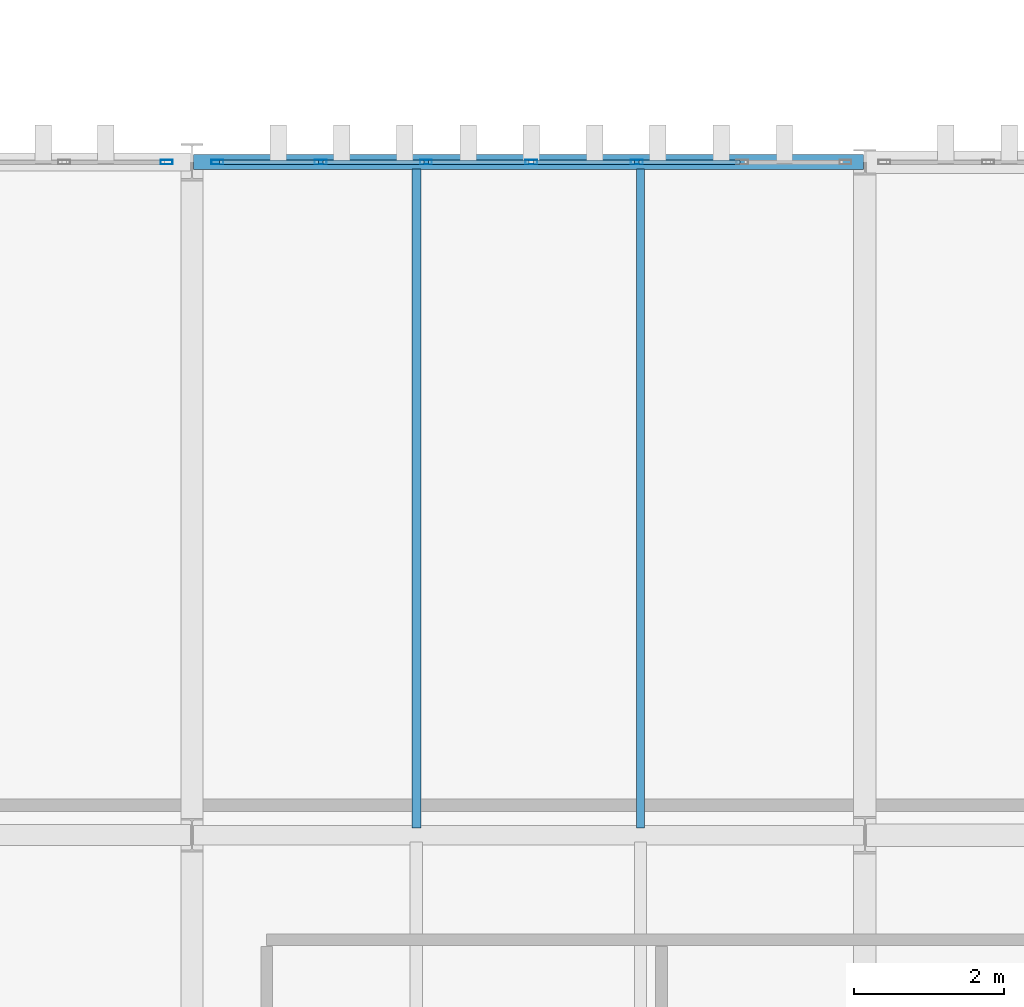
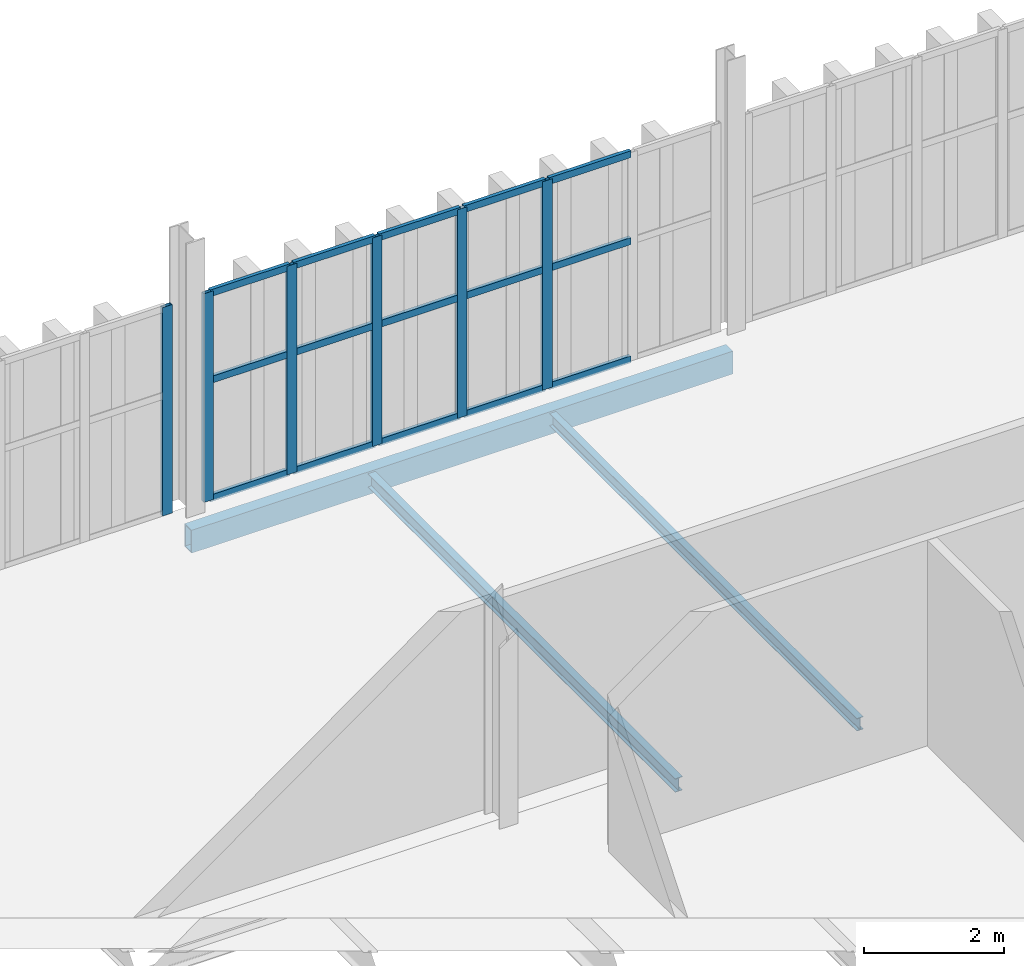
# One storey, part 118 of 196: 21 members, 3 beams, 2 elements without a shape of their own.
"""IFC4 building model written with IfcOpenShell, lengths in metres."""

from ifc_helpers import new_model, si_unit, direction, frame, origin, origin_2d, place, context, subcontext, project, spatial, hollow_rectangle, i_section, extrude, material, layer, layer_set, material_profile, profile_set, type_object, element, aggregate, save


model = new_model("IFC4")

# Units and contexts
model_context = context("Model", 3, precision=1e-05, world=origin(), true_north=direction((0.0, 1.0)))
body_context = subcontext(model_context, "Body", "Model", "MODEL_VIEW")
ifc_project = project(units=[si_unit("LENGTHUNIT", "METRE"), si_unit("AREAUNIT", "SQUARE_METRE"), si_unit("VOLUMEUNIT", "CUBIC_METRE"), si_unit("PLANEANGLEUNIT", "RADIAN"), si_unit("MASSUNIT", "GRAM", prefix="KILO")], contexts=[model_context])

# Site, building, storey
site_placement = place(None, origin())
site = spatial("IfcSite", under=ifc_project, at=site_placement, CompositionType="ELEMENT")
building_placement = place(site_placement, origin())
building = spatial("IfcBuilding", under=site, at=building_placement, Name="Barlavento Convention Centre", CompositionType="ELEMENT")
storey_placement = place(building_placement, frame((0.0, 0.0, 18.0)))
storey = spatial("IfcBuildingStorey", under=building, at=storey_placement, Name="L03", CompositionType="ELEMENT", Elevation=18.0)

# Curtain wall, member
ifc_material_1 = material(Name="Powder-coated aluminium and Low-E glass", Category="aluminium")
ifc_layer = layer(ifc_material_1, 0.179931640625)
ifc_layer_set = layer_set([ifc_layer], Name="ARC-CW-PATIO-B")
curtain_wall_type = type_object("IfcCurtainWallType", Name="ARC-CW-PATIO-B", PredefinedType="NOTDEFINED", material=ifc_layer_set)
curtain_wall_1_placement = place(storey_placement, origin())
curtain_wall_1 = element("IfcCurtainWall", 1, at=curtain_wall_1_placement, inside=storey, type_object=curtain_wall_type, Name="L03 unitised curtain wall CW12", PredefinedType="NOTDEFINED")
ifc_material_2 = material(Name="Powder-coated aluminium", Category="aluminium")
ifc_material_profile_1 = material_profile(ifc_material_2, hollow_rectangle(XDim=0.06005859375, YDim=0.159912109375, WallThickness=0.00390625, at=origin_2d()), Name="AL-MULL 60x160x4")
ifc_profile_set_1 = profile_set([ifc_material_profile_1], Name="Powder-coated aluminium")
member_type_1 = type_object("IfcMemberType", Name="ARC-CWM-60X160", PredefinedType="MULLION", material=ifc_profile_set_1)
member_1_placement = place(storey_placement, frame((152.659912109375, 63.0, 0.0), z_axis=(0.0, 0.0, 1.0), x_axis=(0.0, 1.0, 0.0)))
member_1 = element("IfcMember", 2, at=member_1_placement, type_object=member_type_1, Name="CW12 mullion 7", PredefinedType="MULLION", context=body_context, shape_type="SweptSolid", body=[
    extrude(hollow_rectangle(XDim=0.06005859375, YDim=0.159912109375, WallThickness=0.00390625, at=origin_2d()), origin(), (0.0, 0.0, 1.0), 3.64990234375),
])
aggregate(curtain_wall_1, [member_1])

# Curtain wall, members
curtain_wall_2_placement = place(storey_placement, origin())
curtain_wall_2 = element("IfcCurtainWall", 3, at=curtain_wall_2_placement, inside=storey, type_object=curtain_wall_type, Name="L03 unitised curtain wall CW12", PredefinedType="NOTDEFINED")
member_2_placement = place(storey_placement, frame((153.340087890625, 63.0, 0.0), z_axis=(0.0, 0.0, 1.0), x_axis=(0.0, 1.0, 0.0)))
member_2 = element("IfcMember", 4, at=member_2_placement, type_object=member_type_1, Name="CW12 mullion 1", PredefinedType="MULLION", context=body_context, shape_type="SweptSolid", body=[
    extrude(hollow_rectangle(XDim=0.06005859375, YDim=0.159912109375, WallThickness=0.00390625, at=origin_2d()), origin(), (0.0, 0.0, 1.0), 3.64990234375),
])
member_3_placement = place(storey_placement, frame((154.719970703125, 63.0, 0.0), z_axis=(0.0, 0.0, 1.0), x_axis=(0.0, 1.0, 0.0)))
member_3 = element("IfcMember", 5, at=member_3_placement, type_object=member_type_1, Name="CW12 mullion 2", PredefinedType="MULLION", context=body_context, shape_type="SweptSolid", body=[
    extrude(hollow_rectangle(XDim=0.06005859375, YDim=0.159912109375, WallThickness=0.00390625, at=origin_2d()), origin(), (0.0, 0.0, 1.0), 3.64990234375),
])
member_4_placement = place(storey_placement, frame((156.1298828125, 63.0, 0.0), z_axis=(0.0, 0.0, 1.0), x_axis=(0.0, 1.0, 0.0)))
member_4 = element("IfcMember", 6, at=member_4_placement, type_object=member_type_1, Name="CW12 mullion 3", PredefinedType="MULLION", context=body_context, shape_type="SweptSolid", body=[
    extrude(hollow_rectangle(XDim=0.06005859375, YDim=0.159912109375, WallThickness=0.00390625, at=origin_2d()), origin(), (0.0, 0.0, 1.0), 3.64990234375),
])
member_5_placement = place(storey_placement, frame((157.5400390625, 63.0, 0.0), z_axis=(0.0, 0.0, 1.0), x_axis=(0.0, 1.0, 0.0)))
member_5 = element("IfcMember", 7, at=member_5_placement, type_object=member_type_1, Name="CW12 mullion 4", PredefinedType="MULLION", context=body_context, shape_type="SweptSolid", body=[
    extrude(hollow_rectangle(XDim=0.06005859375, YDim=0.159912109375, WallThickness=0.00390625, at=origin_2d()), origin(), (0.0, 0.0, 1.0), 3.64990234375),
])
member_6_placement = place(storey_placement, frame((158.949951171875, 63.0, 0.0), z_axis=(0.0, 0.0, 1.0), x_axis=(0.0, 1.0, 0.0)))
member_6 = element("IfcMember", 8, at=member_6_placement, type_object=member_type_1, Name="CW12 mullion 5", PredefinedType="MULLION", context=body_context, shape_type="SweptSolid", body=[
    extrude(hollow_rectangle(XDim=0.06005859375, YDim=0.159912109375, WallThickness=0.00390625, at=origin_2d()), origin(), (0.0, 0.0, 1.0), 3.64990234375),
])
ifc_material_profile_2 = material_profile(ifc_material_2, hollow_rectangle(XDim=0.06005859375, YDim=0.1201171875, WallThickness=0.00390625, at=origin_2d()), Name="AL-TRAN 60x120x4")
ifc_profile_set_2 = profile_set([ifc_material_profile_2], Name="Powder-coated aluminium")
member_type_2 = type_object("IfcMemberType", Name="ARC-CWT-60X120", PredefinedType="USERDEFINED", material=ifc_profile_set_2)
member_7_placement = place(storey_placement, frame((153.3701171875, 63.0, 0.030029296875), z_axis=(1.0, 0.0, 0.0), x_axis=(0.0, 1.0, 0.0)))
member_7 = element("IfcMember", 9, at=member_7_placement, type_object=member_type_2, Name="CW12 transom 1.1", ObjectType="TRANSOM", PredefinedType="USERDEFINED", context=body_context, shape_type="SweptSolid", body=[
    extrude(hollow_rectangle(XDim=0.06005859375, YDim=0.1201171875, WallThickness=0.00390625, at=origin_2d()), origin(), (0.0, 0.0, 1.0), 1.31982421875),
])
member_8_placement = place(storey_placement, frame((153.3701171875, 63.0, 2.10009765625), z_axis=(1.0, 0.0, 0.0), x_axis=(0.0, 1.0, 0.0)))
member_8 = element("IfcMember", 10, at=member_8_placement, type_object=member_type_2, Name="CW12 transom 1.2", ObjectType="TRANSOM", PredefinedType="USERDEFINED", context=body_context, shape_type="SweptSolid", body=[
    extrude(hollow_rectangle(XDim=0.06005859375, YDim=0.1201171875, WallThickness=0.00390625, at=origin_2d()), origin(), (0.0, 0.0, 1.0), 1.31982421875),
])
member_9_placement = place(storey_placement, frame((153.3701171875, 63.0, 3.6201171875), z_axis=(1.0, 0.0, 0.0), x_axis=(0.0, 1.0, 0.0)))
member_9 = element("IfcMember", 11, at=member_9_placement, type_object=member_type_2, Name="CW12 transom 1.3", ObjectType="TRANSOM", PredefinedType="USERDEFINED", context=body_context, shape_type="SweptSolid", body=[
    extrude(hollow_rectangle(XDim=0.06005859375, YDim=0.1201171875, WallThickness=0.00390625, at=origin_2d()), origin(), (0.0, 0.0, 1.0), 1.31982421875),
])
member_10_placement = place(storey_placement, frame((154.75, 63.0, 0.030029296875), z_axis=(1.0, 0.0, 0.0), x_axis=(0.0, 1.0, 0.0)))
member_10 = element("IfcMember", 12, at=member_10_placement, type_object=member_type_2, Name="CW12 transom 2.1", ObjectType="TRANSOM", PredefinedType="USERDEFINED", context=body_context, shape_type="SweptSolid", body=[
    extrude(hollow_rectangle(XDim=0.06005859375, YDim=0.1201171875, WallThickness=0.00390625, at=origin_2d()), origin(), (0.0, 0.0, 1.0), 1.35009765625),
])
member_11_placement = place(storey_placement, frame((154.75, 63.0, 2.10009765625), z_axis=(1.0, 0.0, 0.0), x_axis=(0.0, 1.0, 0.0)))
member_11 = element("IfcMember", 13, at=member_11_placement, type_object=member_type_2, Name="CW12 transom 2.2", ObjectType="TRANSOM", PredefinedType="USERDEFINED", context=body_context, shape_type="SweptSolid", body=[
    extrude(hollow_rectangle(XDim=0.06005859375, YDim=0.1201171875, WallThickness=0.00390625, at=origin_2d()), origin(), (0.0, 0.0, 1.0), 1.35009765625),
])
member_12_placement = place(storey_placement, frame((154.75, 63.0, 3.6201171875), z_axis=(1.0, 0.0, 0.0), x_axis=(0.0, 1.0, 0.0)))
member_12 = element("IfcMember", 14, at=member_12_placement, type_object=member_type_2, Name="CW12 transom 2.3", ObjectType="TRANSOM", PredefinedType="USERDEFINED", context=body_context, shape_type="SweptSolid", body=[
    extrude(hollow_rectangle(XDim=0.06005859375, YDim=0.1201171875, WallThickness=0.00390625, at=origin_2d()), origin(), (0.0, 0.0, 1.0), 1.35009765625),
])
member_13_placement = place(storey_placement, frame((156.159912109375, 63.0, 0.030029296875), z_axis=(1.0, 0.0, 0.0), x_axis=(0.0, 1.0, 0.0)))
member_13 = element("IfcMember", 15, at=member_13_placement, type_object=member_type_2, Name="CW12 transom 3.1", ObjectType="TRANSOM", PredefinedType="USERDEFINED", context=body_context, shape_type="SweptSolid", body=[
    extrude(hollow_rectangle(XDim=0.06005859375, YDim=0.1201171875, WallThickness=0.00390625, at=origin_2d()), origin(), (0.0, 0.0, 1.0), 1.35009765625),
])
member_14_placement = place(storey_placement, frame((156.159912109375, 63.0, 2.10009765625), z_axis=(1.0, 0.0, 0.0), x_axis=(0.0, 1.0, 0.0)))
member_14 = element("IfcMember", 16, at=member_14_placement, type_object=member_type_2, Name="CW12 transom 3.2", ObjectType="TRANSOM", PredefinedType="USERDEFINED", context=body_context, shape_type="SweptSolid", body=[
    extrude(hollow_rectangle(XDim=0.06005859375, YDim=0.1201171875, WallThickness=0.00390625, at=origin_2d()), origin(), (0.0, 0.0, 1.0), 1.35009765625),
])
member_15_placement = place(storey_placement, frame((156.159912109375, 63.0, 3.6201171875), z_axis=(1.0, 0.0, 0.0), x_axis=(0.0, 1.0, 0.0)))
member_15 = element("IfcMember", 17, at=member_15_placement, type_object=member_type_2, Name="CW12 transom 3.3", ObjectType="TRANSOM", PredefinedType="USERDEFINED", context=body_context, shape_type="SweptSolid", body=[
    extrude(hollow_rectangle(XDim=0.06005859375, YDim=0.1201171875, WallThickness=0.00390625, at=origin_2d()), origin(), (0.0, 0.0, 1.0), 1.35009765625),
])
member_16_placement = place(storey_placement, frame((157.570068359375, 63.0, 0.030029296875), z_axis=(1.0, 0.0, 0.0), x_axis=(0.0, 1.0, 0.0)))
member_16 = element("IfcMember", 18, at=member_16_placement, type_object=member_type_2, Name="CW12 transom 4.1", ObjectType="TRANSOM", PredefinedType="USERDEFINED", context=body_context, shape_type="SweptSolid", body=[
    extrude(hollow_rectangle(XDim=0.06005859375, YDim=0.1201171875, WallThickness=0.00390625, at=origin_2d()), origin(), (0.0, 0.0, 1.0), 1.349853515625),
])
member_17_placement = place(storey_placement, frame((157.570068359375, 63.0, 2.10009765625), z_axis=(1.0, 0.0, 0.0), x_axis=(0.0, 1.0, 0.0)))
member_17 = element("IfcMember", 19, at=member_17_placement, type_object=member_type_2, Name="CW12 transom 4.2", ObjectType="TRANSOM", PredefinedType="USERDEFINED", context=body_context, shape_type="SweptSolid", body=[
    extrude(hollow_rectangle(XDim=0.06005859375, YDim=0.1201171875, WallThickness=0.00390625, at=origin_2d()), origin(), (0.0, 0.0, 1.0), 1.349853515625),
])
member_18_placement = place(storey_placement, frame((157.570068359375, 63.0, 3.6201171875), z_axis=(1.0, 0.0, 0.0), x_axis=(0.0, 1.0, 0.0)))
member_18 = element("IfcMember", 20, at=member_18_placement, type_object=member_type_2, Name="CW12 transom 4.3", ObjectType="TRANSOM", PredefinedType="USERDEFINED", context=body_context, shape_type="SweptSolid", body=[
    extrude(hollow_rectangle(XDim=0.06005859375, YDim=0.1201171875, WallThickness=0.00390625, at=origin_2d()), origin(), (0.0, 0.0, 1.0), 1.349853515625),
])
member_19_placement = place(storey_placement, frame((158.97998046875, 63.0, 0.030029296875), z_axis=(1.0, 0.0, 0.0), x_axis=(0.0, 1.0, 0.0)))
member_19 = element("IfcMember", 21, at=member_19_placement, type_object=member_type_2, Name="CW12 transom 5.1", ObjectType="TRANSOM", PredefinedType="USERDEFINED", context=body_context, shape_type="SweptSolid", body=[
    extrude(hollow_rectangle(XDim=0.06005859375, YDim=0.1201171875, WallThickness=0.00390625, at=origin_2d()), origin(), (0.0, 0.0, 1.0), 1.35009765625),
])
member_20_placement = place(storey_placement, frame((158.97998046875, 63.0, 2.10009765625), z_axis=(1.0, 0.0, 0.0), x_axis=(0.0, 1.0, 0.0)))
member_20 = element("IfcMember", 22, at=member_20_placement, type_object=member_type_2, Name="CW12 transom 5.2", ObjectType="TRANSOM", PredefinedType="USERDEFINED", context=body_context, shape_type="SweptSolid", body=[
    extrude(hollow_rectangle(XDim=0.06005859375, YDim=0.1201171875, WallThickness=0.00390625, at=origin_2d()), origin(), (0.0, 0.0, 1.0), 1.35009765625),
])
member_21_placement = place(storey_placement, frame((158.97998046875, 63.0, 3.6201171875), z_axis=(1.0, 0.0, 0.0), x_axis=(0.0, 1.0, 0.0)))
member_21 = element("IfcMember", 23, at=member_21_placement, type_object=member_type_2, Name="CW12 transom 5.3", ObjectType="TRANSOM", PredefinedType="USERDEFINED", context=body_context, shape_type="SweptSolid", body=[
    extrude(hollow_rectangle(XDim=0.06005859375, YDim=0.1201171875, WallThickness=0.00390625, at=origin_2d()), origin(), (0.0, 0.0, 1.0), 1.35009765625),
])
aggregate(curtain_wall_2, [member_2, member_3, member_4, member_5, member_6, member_7, member_8, member_9, member_10, member_11, member_12, member_13, member_14, member_15, member_16, member_17, member_18, member_19, member_20, member_21])

# Beams
ifc_material_3 = material(Name="Steel S355", Category="steel")
ifc_material_profile_3 = material_profile(ifc_material_3, i_section(OverallWidth=0.110107421875, OverallDepth=0.219970703125, WebThickness=0.005859375, FlangeThickness=0.00927734375, FilletRadius=0.011962890625, at=origin_2d()), Name="IPE 220")
ifc_profile_set_3 = profile_set([ifc_material_profile_3], Name="Steel S355")
beam_type_1 = type_object("IfcBeamType", Name="STR-BM-JST-IPE220", PredefinedType="JOIST", material=ifc_profile_set_3)
beam_1_placement = place(storey_placement, frame((159.0, 54.094970703125, -0.5), z_axis=(0.0, 1.0, 0.0), x_axis=(-1.0, 0.0, 0.0)))
element("IfcBeam", 24, at=beam_1_placement, inside=storey, type_object=beam_type_1, Name="L03 composite floor joist SJ10", PredefinedType="JOIST", context=body_context, shape_type="SweptSolid", body=[
    extrude(i_section(OverallWidth=0.110107421875, OverallDepth=0.219970703125, WebThickness=0.005859375, FlangeThickness=0.00927734375, FilletRadius=0.011962890625, at=origin_2d()), origin(), (0.0, 0.0, 1.0), 8.81005859375),
])
ifc_material_profile_4 = material_profile(ifc_material_3, i_section(OverallWidth=0.1201171875, OverallDepth=0.239990234375, WebThickness=0.006103515625, FlangeThickness=0.009765625, FilletRadius=0.014892578125, at=origin_2d()), Name="IPE 240")
ifc_profile_set_4 = profile_set([ifc_material_profile_4], Name="Steel S355")
beam_type_2 = type_object("IfcBeamType", Name="STR-BM-JST-IPE240", PredefinedType="JOIST", material=ifc_profile_set_4)
beam_2_placement = place(storey_placement, frame((156.0, 54.094970703125, -0.510009765625), z_axis=(0.0, 1.0, 0.0), x_axis=(-1.0, 0.0, 0.0)))
element("IfcBeam", 25, at=beam_2_placement, inside=storey, type_object=beam_type_2, Name="L03 composite floor joist SJ09", PredefinedType="JOIST", context=body_context, shape_type="SweptSolid", body=[
    extrude(i_section(OverallWidth=0.1201171875, OverallDepth=0.239990234375, WebThickness=0.006103515625, FlangeThickness=0.009765625, FilletRadius=0.014892578125, at=origin_2d()), origin(), (0.0, 0.0, 1.0), 8.81005859375),
])
ifc_material_profile_5 = material_profile(ifc_material_3, hollow_rectangle(XDim=0.199951171875, YDim=0.39990234375, WallThickness=0.01611328125, at=origin_2d()), Name="RHS 400x200x16.0")
ifc_profile_set_5 = profile_set([ifc_material_profile_5], Name="Steel S355")
beam_type_3 = type_object("IfcBeamType", Name="STR-BM-SPN-RHS400", PredefinedType="SPANDREL", material=ifc_profile_set_5)
beam_3_placement = place(storey_placement, frame((153.02001953125, 63.0, -0.56005859375), z_axis=(1.0, 0.0, 0.0), x_axis=(0.0, 1.0, 0.0)))
element("IfcBeam", 26, at=beam_3_placement, inside=storey, type_object=beam_type_3, Name="L03 primary girder SP06", PredefinedType="SPANDREL", context=body_context, shape_type="SweptSolid", body=[
    extrude(hollow_rectangle(XDim=0.199951171875, YDim=0.39990234375, WallThickness=0.01611328125, at=origin_2d()), origin(), (0.0, 0.0, 1.0), 8.9599609375),
])

save(model, "model.ifc")
